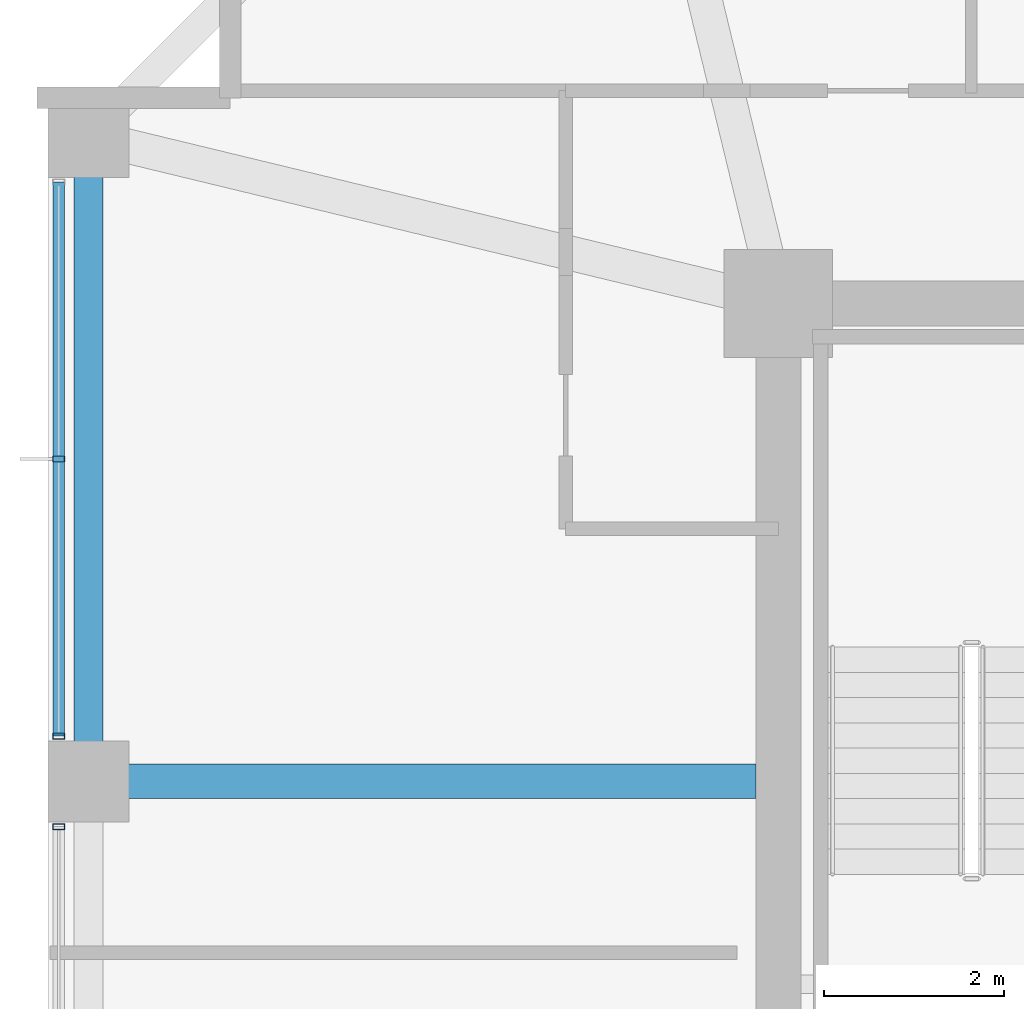
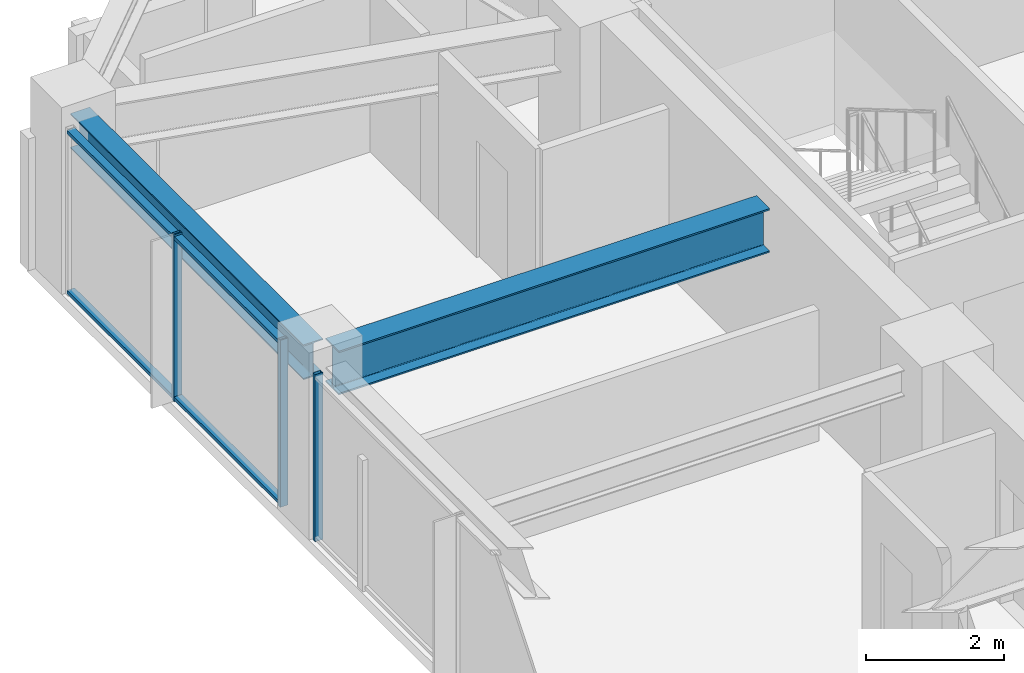
# One storey, part 11 of 31: 5 members, 2 beams, 2 elements without a shape of their own.
"""IFC4 building model written with IfcOpenShell, lengths in metres."""

from ifc_helpers import new_model, si_unit, direction, frame, origin, origin_2d, place, context, subcontext, project, spatial, hollow_rectangle, i_section, extrude, material, material_profile, profile_set, type_object, element, aggregate, save


model = new_model("IFC4")

# Units and contexts
model_context = context("Model", 3, precision=1e-05, world=origin(), true_north=direction((0.0, 1.0)))
body_context = subcontext(model_context, "Body", "Model", "MODEL_VIEW")
ifc_project = project(units=[si_unit("LENGTHUNIT", "METRE"), si_unit("AREAUNIT", "SQUARE_METRE"), si_unit("VOLUMEUNIT", "CUBIC_METRE"), si_unit("PLANEANGLEUNIT", "RADIAN"), si_unit("MASSUNIT", "GRAM", prefix="KILO")], contexts=[model_context])

# Site, building, storey
site_placement = place(None, origin())
site = spatial("IfcSite", under=ifc_project, at=site_placement, CompositionType="ELEMENT")
building_placement = place(site_placement, origin())
building = spatial("IfcBuilding", under=site, at=building_placement, Name="Kolvaren Belvedere", CompositionType="ELEMENT")
storey_placement = place(building_placement, frame((0.0, 0.0, 144.800048828125)))
storey = spatial("IfcBuildingStorey", under=building, at=storey_placement, Name="L42", CompositionType="ELEMENT", Elevation=144.800048828125)

# Beams
ifc_material_1 = material(Name="Structural steel ASTM A992 Grade 50", Category="steel")
ifc_material_profile_1 = material_profile(ifc_material_1, i_section(OverallWidth=0.381103515625, OverallDepth=0.77294921875, WebThickness=0.0166015625, FlangeThickness=0.027099609375, FilletRadius=0.02392578125, at=origin_2d()), Name="W30X173")
ifc_profile_set_1 = profile_set([ifc_material_profile_1], Name="Structural steel ASTM A992 Grade 50")
beam_type_1 = type_object("IfcBeamType", Name="BM-GIRD-W30X173", PredefinedType="BEAM", material=ifc_profile_set_1)
beam_1_placement = place(storey_placement, frame((-10.14990234375, 4.60009765625, 2.5634765625), z_axis=(-1.0, 0.0, 0.0), x_axis=(0.0, -1.0, 0.0)))
element("IfcBeam", 1, at=beam_1_placement, inside=storey, type_object=beam_type_1, Name="L42 West Radial Girder P", PredefinedType="BEAM", context=body_context, shape_type="SweptSolid", body=[
    extrude(i_section(OverallWidth=0.381103515625, OverallDepth=0.77294921875, WebThickness=0.0166015625, FlangeThickness=0.027099609375, FilletRadius=0.02392578125, at=origin_2d()), origin(), (0.0, 0.0, 1.0), 7.197509765625),
])
ifc_material_2 = material(Name="Structural steel ASTM A992 Grade 50", Category="steel")
ifc_material_profile_2 = material_profile(ifc_material_2, i_section(OverallWidth=0.324951171875, OverallDepth=0.615966796875, WebThickness=0.013916015625, FlangeThickness=0.021484375, FilletRadius=0.02001953125, at=origin_2d()), Name="W24X117")
ifc_profile_set_2 = profile_set([ifc_material_profile_2], Name="Structural steel ASTM A992 Grade 50")
beam_type_2 = type_object("IfcBeamType", Name="BM-SPAN-W24X117", PredefinedType="SPANDREL", material=ifc_profile_set_2)
beam_2_placement = place(storey_placement, frame((-17.550048828125, 11.547607421875, 2.641845703125), z_axis=(0.0, -1.0, 0.0), x_axis=(1.0, 0.0, 0.0)))
element("IfcBeam", 2, at=beam_2_placement, inside=storey, type_object=beam_type_2, Name="L42 Perimeter Spandrel W4-W3", PredefinedType="SPANDREL", context=body_context, shape_type="SweptSolid", body=[
    extrude(i_section(OverallWidth=0.324951171875, OverallDepth=0.615966796875, WebThickness=0.013916015625, FlangeThickness=0.021484375, FilletRadius=0.02001953125, at=origin_2d()), origin(), (0.0, 0.0, 1.0), 6.7451171875),
])

# Curtain wall, member
ifc_material_3 = material(Name="Anodised pale-metal aluminium AA 6063-T6", Category="aluminium")
curtain_wall_type = type_object("IfcCurtainWallType", Name="CW-Z3-WAIST", PredefinedType="NOTDEFINED", material=ifc_material_3)
curtain_wall_1_placement = place(storey_placement, origin())
curtain_wall_1 = element("IfcCurtainWall", 3, at=curtain_wall_1_placement, inside=storey, type_object=curtain_wall_type, Name="L42 Unitised Curtain Wall FCW-L42-W-B2", PredefinedType="NOTDEFINED")
ifc_material_4 = material(Name="Anodised pale-metal aluminium AA 6063-T6", Category="aluminium")
ifc_material_profile_3 = material_profile(ifc_material_4, hollow_rectangle(XDim=0.06494140625, YDim=0.1298828125, WallThickness=0.00390625, at=origin_2d()), Name="ALU-MUL-130X65")
ifc_profile_set_3 = profile_set([ifc_material_profile_3], Name="Anodised pale-metal aluminium AA 6063-T6")
member_type_1 = type_object("IfcMemberType", Name="CW-MUL-130", PredefinedType="MULLION", material=ifc_profile_set_3)
member_1_placement = place(storey_placement, frame((-17.8798828125, 4.097412109375, 0.0), z_axis=(0.0, 0.0, 1.0), x_axis=(0.0, 1.0, 0.0)))
member_1 = element("IfcMember", 4, at=member_1_placement, type_object=member_type_1, Name="FCW-L42-W-B2 Unitised Mullion 3", PredefinedType="MULLION", context=body_context, shape_type="SweptSolid", body=[
    extrude(hollow_rectangle(XDim=0.06494140625, YDim=0.1298828125, WallThickness=0.00390625, at=origin_2d()), origin(), (0.0, 0.0, 1.0), 2.949951171875),
])
aggregate(curtain_wall_1, [member_1])

# Curtain wall, members
curtain_wall_2_placement = place(storey_placement, origin())
curtain_wall_2 = element("IfcCurtainWall", 5, at=curtain_wall_2_placement, inside=storey, type_object=curtain_wall_type, Name="L42 Unitised Curtain Wall FCW-L42-W-B3", PredefinedType="NOTDEFINED")
member_2_placement = place(storey_placement, frame((-17.8798828125, 5.1025390625, 0.0), z_axis=(0.0, 0.0, 1.0), x_axis=(0.0, 1.0, 0.0)))
member_2 = element("IfcMember", 6, at=member_2_placement, type_object=member_type_1, Name="FCW-L42-W-B3 Unitised Mullion 1", PredefinedType="MULLION", context=body_context, shape_type="SweptSolid", body=[
    extrude(hollow_rectangle(XDim=0.06494140625, YDim=0.1298828125, WallThickness=0.00390625, at=origin_2d()), origin(), (0.0, 0.0, 1.0), 2.949951171875),
])
member_3_placement = place(storey_placement, frame((-17.8798828125, 8.175048828125, 0.0), z_axis=(0.0, 0.0, 1.0), x_axis=(0.0, 1.0, 0.0)))
member_3 = element("IfcMember", 7, at=member_3_placement, type_object=member_type_1, Name="FCW-L42-W-B3 Unitised Mullion 2", PredefinedType="MULLION", context=body_context, shape_type="SweptSolid", body=[
    extrude(hollow_rectangle(XDim=0.06494140625, YDim=0.1298828125, WallThickness=0.00390625, at=origin_2d()), origin(), (0.0, 0.0, 1.0), 2.949951171875),
])
ifc_material_5 = material(Name="Anodised pale-metal aluminium AA 6063-T6", Category="aluminium")
ifc_material_profile_4 = material_profile(ifc_material_5, hollow_rectangle(XDim=0.06005859375, YDim=0.1298828125, WallThickness=0.00390625, at=origin_2d()), Name="ALU-TRN-130X60")
ifc_profile_set_4 = profile_set([ifc_material_profile_4], Name="Anodised pale-metal aluminium AA 6063-T6")
member_type_2 = type_object("IfcMemberType", Name="CW-TRN-130", PredefinedType="USERDEFINED", material=ifc_profile_set_4)
member_4_placement = place(storey_placement, frame((-17.8798828125, 5.1025390625, 0.06005859375), z_axis=(0.0, 1.0, 0.0), x_axis=(0.0, 0.0, 1.0)))
member_4 = element("IfcMember", 8, at=member_4_placement, type_object=member_type_2, Name="FCW-L42-W-B3 Sill Transom", ObjectType="TRANSOM", PredefinedType="USERDEFINED", context=body_context, shape_type="SweptSolid", body=[
    extrude(hollow_rectangle(XDim=0.06005859375, YDim=0.1298828125, WallThickness=0.00390625, at=origin_2d()), origin(), (0.0, 0.0, 1.0), 6.14501953125),
])
member_5_placement = place(storey_placement, frame((-17.8798828125, 5.1025390625, 2.889892578125), z_axis=(0.0, 1.0, 0.0), x_axis=(0.0, 0.0, 1.0)))
member_5 = element("IfcMember", 9, at=member_5_placement, type_object=member_type_2, Name="FCW-L42-W-B3 Head Transom", ObjectType="TRANSOM", PredefinedType="USERDEFINED", context=body_context, shape_type="SweptSolid", body=[
    extrude(hollow_rectangle(XDim=0.06005859375, YDim=0.1298828125, WallThickness=0.00390625, at=origin_2d()), origin(), (0.0, 0.0, 1.0), 6.14501953125),
])
aggregate(curtain_wall_2, [member_2, member_3, member_4, member_5])

save(model, "model.ifc")
